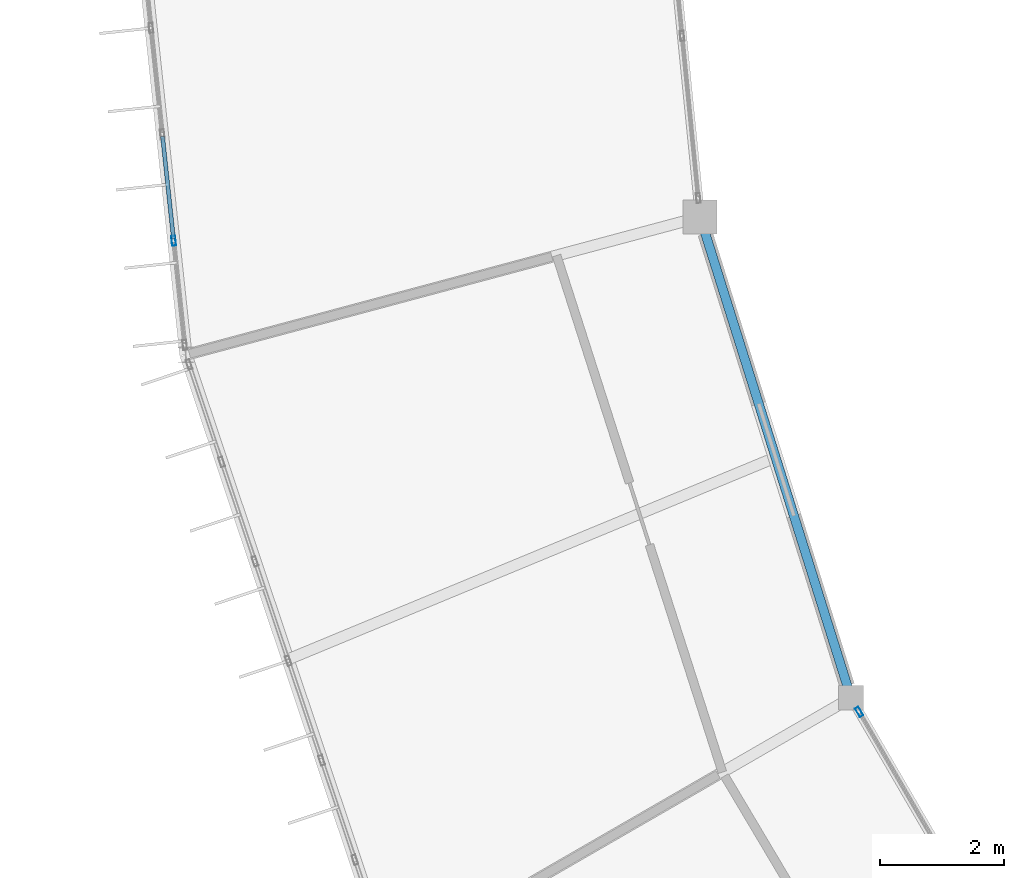
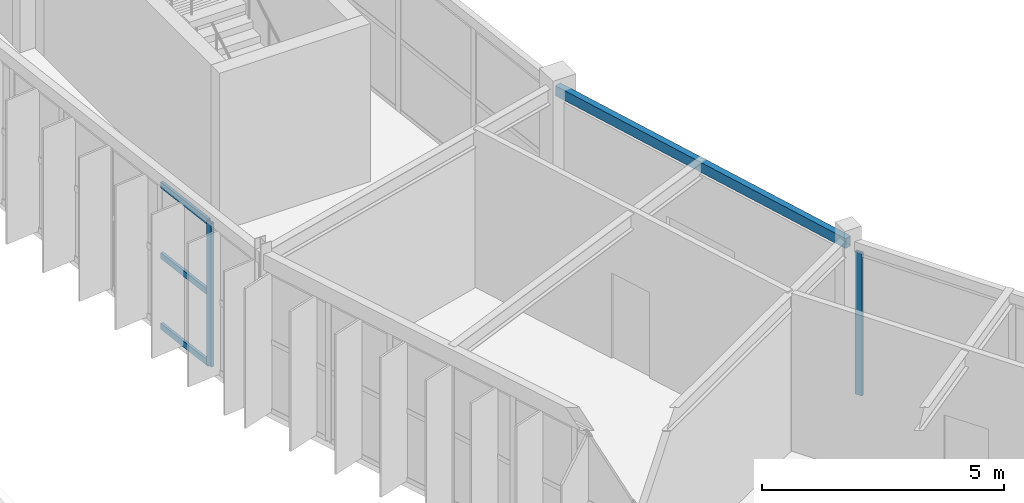
# One storey, part 40 of 134: 5 members, 1 beam, 2 elements without a shape of their own.
"""IFC4 building model written with IfcOpenShell, lengths in metres."""

from ifc_helpers import new_model, si_unit, direction, frame, origin, origin_2d, place, context, subcontext, project, spatial, hollow_rectangle, extrude, material, material_profile, profile_set, type_object, element, aggregate, save


model = new_model("IFC4")

# Units and contexts
model_context = context("Model", 3, precision=1e-05, world=origin(), true_north=direction((0.0, 1.0)))
body_context = subcontext(model_context, "Body", "Model", "MODEL_VIEW")
ifc_project = project(units=[si_unit("LENGTHUNIT", "METRE"), si_unit("AREAUNIT", "SQUARE_METRE"), si_unit("VOLUMEUNIT", "CUBIC_METRE"), si_unit("PLANEANGLEUNIT", "RADIAN"), si_unit("MASSUNIT", "GRAM", prefix="KILO")], contexts=[model_context])

# Site, building, storey
site_placement = place(None, origin())
site = spatial("IfcSite", under=ifc_project, at=site_placement, CompositionType="ELEMENT")
building_placement = place(site_placement, origin())
building = spatial("IfcBuilding", under=site, at=building_placement, Name="Karori Crest Natural Sciences Institute", CompositionType="ELEMENT")
storey_placement = place(building_placement, frame((0.0, 0.0, 21.699951171875)))
storey = spatial("IfcBuildingStorey", under=building, at=storey_placement, Name="L05", CompositionType="ELEMENT", Elevation=21.699951171875)

# Beam
ifc_material_1 = material(Name="Hollow structural steel AS/NZS 1163 Grade C350", Category="steel")
ifc_material_profile_1 = material_profile(ifc_material_1, hollow_rectangle(XDim=0.14990234375, YDim=0.25, WallThickness=0.009033203125, at=origin_2d()), Name="RHS250x150x9")
ifc_profile_set_1 = profile_set([ifc_material_profile_1], Name="Hollow structural steel AS/NZS 1163 Grade C350")
beam_type = type_object("IfcBeamType", Name="BT-16", PredefinedType="SPANDREL", material=ifc_profile_set_1)
beam_placement = place(storey_placement, frame((42.831298828125, 41.56591796875, 3.739990234375), z_axis=(0.299495880683, -0.954097593254, 0.0), x_axis=(0.954097593254, 0.299495880683, 0.0)))
element("IfcBeam", 1, at=beam_placement, inside=storey, type_object=beam_type, Name="Beam B-0684", PredefinedType="SPANDREL", context=body_context, shape_type="SweptSolid", body=[
    extrude(hollow_rectangle(XDim=0.14990234375, YDim=0.25, WallThickness=0.009033203125, at=origin_2d()), origin(), (0.0, 0.0, 1.0), 8.139404296875),
])

# Curtain wall, member
ifc_material_2 = material(Name="Anodised architectural aluminium 6063-T6", Category="aluminium")
curtain_wall_type_1 = type_object("IfcCurtainWallType", Name="CWT-03", PredefinedType="NOTDEFINED", material=ifc_material_2)
curtain_wall_1_placement = place(storey_placement, origin())
curtain_wall_1 = element("IfcCurtainWall", 2, at=curtain_wall_1_placement, inside=storey, type_object=curtain_wall_type_1, Name="Curtain wall CW-0190", PredefinedType="NOTDEFINED")
ifc_material_profile_2 = material_profile(ifc_material_2, hollow_rectangle(XDim=0.06494140625, YDim=0.159912109375, WallThickness=0.00390625, at=origin_2d()), Name="CWM160x65x4")
ifc_profile_set_2 = profile_set([ifc_material_profile_2], Name="Anodised architectural aluminium 6063-T6")
member_type_1 = type_object("IfcMemberType", Name="CWM-01", PredefinedType="MULLION", material=ifc_profile_set_2)
member_1_placement = place(storey_placement, frame((34.328125, 41.18310546875, 0.0), z_axis=(0.0, 0.0, 1.0), x_axis=(-0.994378435661, -0.105884496939, 0.0)))
member_1 = element("IfcMember", 3, at=member_1_placement, type_object=member_type_1, Name="CW-0190 mullion 2", PredefinedType="MULLION", context=body_context, shape_type="SweptSolid", body=[
    extrude(hollow_rectangle(XDim=0.06494140625, YDim=0.159912109375, WallThickness=0.00390625, at=origin_2d()), origin(), (0.0, 0.0, 1.0), 3.625),
])

curtain_wall_type_2 = type_object("IfcCurtainWallType", Name="CWT-15", PredefinedType="NOTDEFINED", material=ifc_material_2)
curtain_wall_2_placement = place(storey_placement, origin())
curtain_wall_2 = element("IfcCurtainWall", 4, at=curtain_wall_2_placement, inside=storey, type_object=curtain_wall_type_2, Name="Curtain wall CW-0194", PredefinedType="NOTDEFINED")
member_2_placement = place(storey_placement, frame((45.400634765625, 33.573486328125, 0.0), z_axis=(0.0, 0.0, 1.0), x_axis=(0.864487154971, 0.502654910341, 0.0)))
member_2 = element("IfcMember", 5, at=member_2_placement, type_object=member_type_1, Name="CW-0194 mullion 1", PredefinedType="MULLION", context=body_context, shape_type="SweptSolid", body=[
    extrude(hollow_rectangle(XDim=0.06494140625, YDim=0.159912109375, WallThickness=0.00390625, at=origin_2d()), origin(), (0.0, 0.0, 1.0), 3.60009765625),
])
aggregate(curtain_wall_2, [member_2])

# Member
ifc_material_profile_3 = material_profile(ifc_material_2, hollow_rectangle(XDim=0.06494140625, YDim=0.14990234375, WallThickness=0.00390625, at=origin_2d()), Name="CWT150x65x4")
ifc_profile_set_3 = profile_set([ifc_material_profile_3], Name="Anodised architectural aluminium 6063-T6")
member_type_2 = type_object("IfcMemberType", Name="CWT-TR2", PredefinedType="USERDEFINED", material=ifc_profile_set_3)
member_3_placement = place(storey_placement, frame((34.32470703125, 41.21533203125, 0.032470703125), z_axis=(-0.105884923842, 0.994378390203, 0.0), x_axis=(-0.994378390203, -0.105884923842, 0.0)))
member_3 = element("IfcMember", 6, at=member_3_placement, type_object=member_type_2, Name="CW-0190 transom 2.1", ObjectType="TRANSOM", PredefinedType="USERDEFINED", context=body_context, shape_type="SweptSolid", body=[
    extrude(hollow_rectangle(XDim=0.06494140625, YDim=0.14990234375, WallThickness=0.00390625, at=origin_2d()), origin(), (0.0, 0.0, 1.0), 1.662353515625),
])

member_4_placement = place(storey_placement, frame((34.32470703125, 41.21533203125, 1.8125), z_axis=(-0.105884923842, 0.994378390203, 0.0), x_axis=(-0.994378390203, -0.105884923842, 0.0)))
member_4 = element("IfcMember", 7, at=member_4_placement, type_object=member_type_2, Name="CW-0190 transom 2.2", ObjectType="TRANSOM", PredefinedType="USERDEFINED", context=body_context, shape_type="SweptSolid", body=[
    extrude(hollow_rectangle(XDim=0.06494140625, YDim=0.14990234375, WallThickness=0.00390625, at=origin_2d()), origin(), (0.0, 0.0, 1.0), 1.662353515625),
])

member_5_placement = place(storey_placement, frame((34.32470703125, 41.21533203125, 3.592529296875), z_axis=(-0.105884923842, 0.994378390203, 0.0), x_axis=(-0.994378390203, -0.105884923842, 0.0)))
member_5 = element("IfcMember", 8, at=member_5_placement, type_object=member_type_2, Name="CW-0190 transom 2.3", ObjectType="TRANSOM", PredefinedType="USERDEFINED", context=body_context, shape_type="SweptSolid", body=[
    extrude(hollow_rectangle(XDim=0.06494140625, YDim=0.14990234375, WallThickness=0.00390625, at=origin_2d()), origin(), (0.0, 0.0, 1.0), 1.662353515625),
])

aggregate(curtain_wall_1, [member_1, member_3, member_4, member_5])

save(model, "model.ifc")
